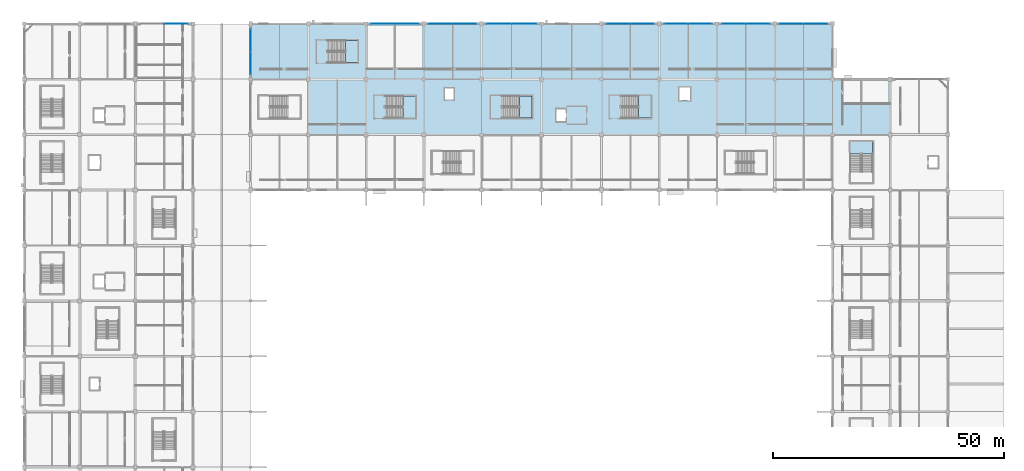
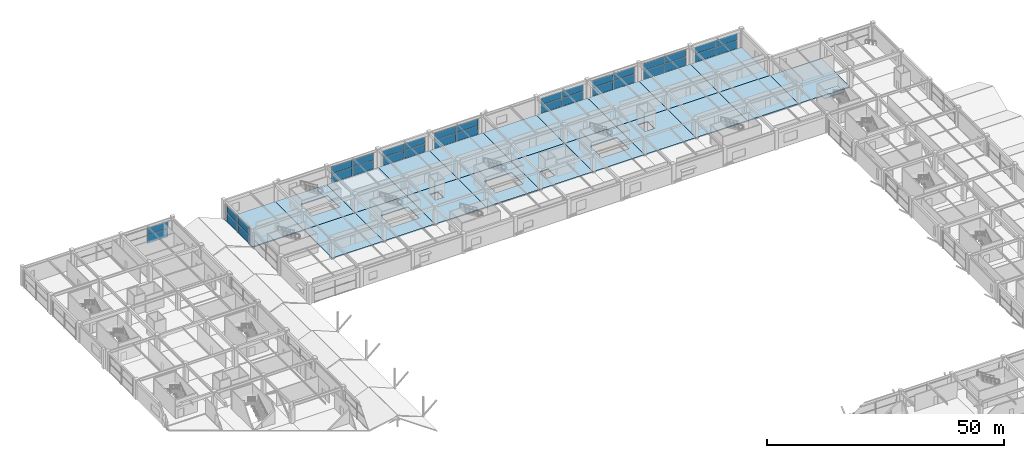
# One storey, part 60 of 116: 34 plates, 25 slabs, 14 elements without a shape of their own.
"""IFC4 building model written with IfcOpenShell, lengths in metres."""

from ifc_helpers import new_model, si_unit, direction, frame, origin, origin_2d, place, context, subcontext, project, spatial, polyline, rectangle, outline, extrude, material, layer, layer_set, type_object, element, aggregate, save


model = new_model("IFC4")

# Units and contexts
model_context = context("Model", 3, precision=1e-05, world=origin(), true_north=direction((0.0, 1.0)))
body_context = subcontext(model_context, "Body", "Model", "MODEL_VIEW")
ifc_project = project(units=[si_unit("LENGTHUNIT", "METRE"), si_unit("AREAUNIT", "SQUARE_METRE"), si_unit("VOLUMEUNIT", "CUBIC_METRE"), si_unit("PLANEANGLEUNIT", "RADIAN"), si_unit("MASSUNIT", "GRAM", prefix="KILO")], contexts=[model_context])

# Site, building, storey
site_placement = place(None, origin())
site = spatial("IfcSite", under=ifc_project, at=site_placement, CompositionType="ELEMENT")
building_placement = place(site_placement, origin())
building = spatial("IfcBuilding", under=site, at=building_placement, Name="Kazenohara Klinker Stadium", CompositionType="ELEMENT")
storey_placement = place(building_placement, frame((0.0, 0.0, 10.199951171875)))
storey = spatial("IfcBuildingStorey", under=building, at=storey_placement, Name="L02", CompositionType="ELEMENT", Elevation=10.199951171875)

# Curtain wall, plates
ifc_material_1 = material(Name="Anodised aluminium and triple glazing", Category="aluminium")
ifc_layer_1 = layer(ifc_material_1, 0.159912109375)
ifc_layer_set_1 = layer_set([ifc_layer_1], Name="Anodised aluminium and triple glazing")
curtain_wall_type_1 = type_object("IfcCurtainWallType", Name="CW-SYS-01", PredefinedType="USERDEFINED", material=ifc_layer_set_1)
curtain_wall_1_placement = place(storey_placement, origin())
curtain_wall_1 = element("IfcCurtainWall", 1, at=curtain_wall_1_placement, inside=storey, type_object=curtain_wall_type_1, Name="Unitised facade curtain wall CW01 L02 X2-14", ObjectType="UNITISED CURTAIN WALL", PredefinedType="USERDEFINED")
ifc_material_2 = material(Name="Low-e laminated triple glazing", Category="glass")
ifc_layer_2 = layer(ifc_material_2, 0.035888671875)
ifc_layer_set_2 = layer_set([ifc_layer_2], Name="Low-e laminated triple glazing")
plate_type_1 = type_object("IfcPlateType", Name="CW-PNL-36", PredefinedType="CURTAIN_PANEL", material=ifc_layer_set_2)
plate_1_placement = place(storey_placement, frame((32.84423828125, 168.0, 0.065185546875), z_axis=(0.0, 0.0, 1.0), x_axis=(1.0, 0.0, 0.0)))
plate_1 = element("IfcPlate", 2, at=plate_1_placement, type_object=plate_type_1, Name="CW01 panel 2.1", PredefinedType="CURTAIN_PANEL", context=body_context, shape_type="SweptSolid", body=[
    extrude(rectangle(XDim=5.073486328125, YDim=0.035888671875, at=origin_2d()), origin(), (0.0, 0.0, 1.0), 2.16845703125),
])
plate_2_placement = place(storey_placement, frame((32.84423828125, 168.0, 2.29833984375), z_axis=(0.0, 0.0, 1.0), x_axis=(1.0, 0.0, 0.0)))
plate_2 = element("IfcPlate", 3, at=plate_2_placement, type_object=plate_type_1, Name="CW01 panel 2.2", PredefinedType="CURTAIN_PANEL", context=body_context, shape_type="SweptSolid", body=[
    extrude(rectangle(XDim=5.073486328125, YDim=0.035888671875, at=origin_2d()), origin(), (0.0, 0.0, 1.0), 1.756591796875),
])
aggregate(curtain_wall_1, [plate_1, plate_2])

ifc_layer_3 = layer(ifc_material_1, 0.169921875)
ifc_layer_set_3 = layer_set([ifc_layer_3], Name="Anodised aluminium and triple glazing")
curtain_wall_type_2 = type_object("IfcCurtainWallType", Name="CW-SYS-04", PredefinedType="USERDEFINED", material=ifc_layer_set_3)
curtain_wall_2_placement = place(storey_placement, origin())
curtain_wall_2 = element("IfcCurtainWall", 4, at=curtain_wall_2_placement, inside=storey, type_object=curtain_wall_type_2, Name="Unitised facade curtain wall CW04 L02 X6-14", ObjectType="UNITISED CURTAIN WALL", PredefinedType="USERDEFINED")
plate_3_placement = place(storey_placement, frame((77.668212890625, 168.0, 0.06494140625), z_axis=(0.0, 0.0, 1.0), x_axis=(1.0, 0.0, 0.0)))
plate_3 = element("IfcPlate", 5, at=plate_3_placement, type_object=plate_type_1, Name="CW04 panel 1.1", PredefinedType="CURTAIN_PANEL", context=body_context, shape_type="SweptSolid", body=[
    extrude(rectangle(XDim=5.098388671875, YDim=0.035888671875, at=origin_2d()), origin(), (0.0, 0.0, 1.0), 2.223388671875),
])
plate_4_placement = place(storey_placement, frame((77.668212890625, 168.0, 2.353515625), z_axis=(0.0, 0.0, 1.0), x_axis=(1.0, 0.0, 0.0)))
plate_4 = element("IfcPlate", 6, at=plate_4_placement, type_object=plate_type_1, Name="CW04 panel 1.2", PredefinedType="CURTAIN_PANEL", context=body_context, shape_type="SweptSolid", body=[
    extrude(rectangle(XDim=5.098388671875, YDim=0.035888671875, at=origin_2d()), origin(), (0.0, 0.0, 1.0), 1.801513671875),
])
plate_5_placement = place(storey_placement, frame((82.831787109375, 168.0, 0.06494140625), z_axis=(0.0, 0.0, 1.0), x_axis=(1.0, 0.0, 0.0)))
plate_5 = element("IfcPlate", 7, at=plate_5_placement, type_object=plate_type_1, Name="CW04 panel 2.1", PredefinedType="CURTAIN_PANEL", context=body_context, shape_type="SweptSolid", body=[
    extrude(rectangle(XDim=5.098388671875, YDim=0.035888671875, at=origin_2d()), origin(), (0.0, 0.0, 1.0), 2.223388671875),
])
plate_6_placement = place(storey_placement, frame((82.831787109375, 168.0, 2.353515625), z_axis=(0.0, 0.0, 1.0), x_axis=(1.0, 0.0, 0.0)))
plate_6 = element("IfcPlate", 8, at=plate_6_placement, type_object=plate_type_1, Name="CW04 panel 2.2", PredefinedType="CURTAIN_PANEL", context=body_context, shape_type="SweptSolid", body=[
    extrude(rectangle(XDim=5.098388671875, YDim=0.035888671875, at=origin_2d()), origin(), (0.0, 0.0, 1.0), 1.801513671875),
])
aggregate(curtain_wall_2, [plate_3, plate_4, plate_5, plate_6])

curtain_wall_3_placement = place(storey_placement, origin())
curtain_wall_3 = element("IfcCurtainWall", 9, at=curtain_wall_3_placement, inside=storey, type_object=curtain_wall_type_1, Name="Unitised facade curtain wall CW01 L02 X7-14", ObjectType="UNITISED CURTAIN WALL", PredefinedType="USERDEFINED")
plate_7_placement = place(storey_placement, frame((90.15576171875, 168.0, 0.06494140625), z_axis=(0.0, 0.0, 1.0), x_axis=(1.0, 0.0, 0.0)))
plate_7 = element("IfcPlate", 10, at=plate_7_placement, type_object=plate_type_1, Name="CW01 panel 1.1", PredefinedType="CURTAIN_PANEL", context=body_context, shape_type="SweptSolid", body=[
    extrude(rectangle(XDim=5.073486328125, YDim=0.035888671875, at=origin_2d()), origin(), (0.0, 0.0, 1.0), 2.113525390625),
])
plate_8_placement = place(storey_placement, frame((90.15576171875, 168.0, 2.24365234375), z_axis=(0.0, 0.0, 1.0), x_axis=(1.0, 0.0, 0.0)))
plate_8 = element("IfcPlate", 11, at=plate_8_placement, type_object=plate_type_1, Name="CW01 panel 1.2", PredefinedType="CURTAIN_PANEL", context=body_context, shape_type="SweptSolid", body=[
    extrude(rectangle(XDim=5.073486328125, YDim=0.035888671875, at=origin_2d()), origin(), (0.0, 0.0, 1.0), 1.71142578125),
])
plate_9_placement = place(storey_placement, frame((95.294189453125, 168.0, 0.06494140625), z_axis=(0.0, 0.0, 1.0), x_axis=(1.0, 0.0, 0.0)))
plate_9 = element("IfcPlate", 12, at=plate_9_placement, type_object=plate_type_1, Name="CW01 panel 2.1", PredefinedType="CURTAIN_PANEL", context=body_context, shape_type="SweptSolid", body=[
    extrude(rectangle(XDim=5.073486328125, YDim=0.035888671875, at=origin_2d()), origin(), (0.0, 0.0, 1.0), 2.113525390625),
])
plate_10_placement = place(storey_placement, frame((95.294189453125, 168.0, 2.24365234375), z_axis=(0.0, 0.0, 1.0), x_axis=(1.0, 0.0, 0.0)))
plate_10 = element("IfcPlate", 13, at=plate_10_placement, type_object=plate_type_1, Name="CW01 panel 2.2", PredefinedType="CURTAIN_PANEL", context=body_context, shape_type="SweptSolid", body=[
    extrude(rectangle(XDim=5.073486328125, YDim=0.035888671875, at=origin_2d()), origin(), (0.0, 0.0, 1.0), 1.71142578125),
])
aggregate(curtain_wall_3, [plate_7, plate_8, plate_9, plate_10])

ifc_layer_4 = layer(ifc_material_1, 0.199951171875)
ifc_layer_set_4 = layer_set([ifc_layer_4], Name="Anodised aluminium and triple glazing")
curtain_wall_type_3 = type_object("IfcCurtainWallType", Name="CW-SYS-03", PredefinedType="USERDEFINED", material=ifc_layer_set_4)
curtain_wall_4_placement = place(storey_placement, origin())
curtain_wall_4 = element("IfcCurtainWall", 14, at=curtain_wall_4_placement, inside=storey, type_object=curtain_wall_type_3, Name="Unitised facade curtain wall CW03 L02 X8-14", ObjectType="UNITISED CURTAIN WALL", PredefinedType="USERDEFINED")
plate_11_placement = place(storey_placement, frame((102.830810546875, 168.0, 0.065185546875), z_axis=(0.0, 0.0, 1.0), x_axis=(1.0, 0.0, 0.0)))
plate_11 = element("IfcPlate", 15, at=plate_11_placement, type_object=plate_type_1, Name="CW03 panel 1.1", PredefinedType="CURTAIN_PANEL", context=body_context, shape_type="SweptSolid", body=[
    extrude(rectangle(XDim=5.323486328125, YDim=0.035888671875, at=origin_2d()), origin(), (0.0, 0.0, 1.0), 2.16845703125),
])
plate_12_placement = place(storey_placement, frame((102.830810546875, 168.0, 2.29833984375), z_axis=(0.0, 0.0, 1.0), x_axis=(1.0, 0.0, 0.0)))
plate_12 = element("IfcPlate", 16, at=plate_12_placement, type_object=plate_type_1, Name="CW03 panel 1.2", PredefinedType="CURTAIN_PANEL", context=body_context, shape_type="SweptSolid", body=[
    extrude(rectangle(XDim=5.323486328125, YDim=0.035888671875, at=origin_2d()), origin(), (0.0, 0.0, 1.0), 1.756591796875),
])
plate_13_placement = place(storey_placement, frame((108.21923828125, 168.0, 0.065185546875), z_axis=(0.0, 0.0, 1.0), x_axis=(1.0, 0.0, 0.0)))
plate_13 = element("IfcPlate", 17, at=plate_13_placement, type_object=plate_type_1, Name="CW03 panel 2.1", PredefinedType="CURTAIN_PANEL", context=body_context, shape_type="SweptSolid", body=[
    extrude(rectangle(XDim=5.323486328125, YDim=0.035888671875, at=origin_2d()), origin(), (0.0, 0.0, 1.0), 2.16845703125),
])
plate_14_placement = place(storey_placement, frame((108.21923828125, 168.0, 2.29833984375), z_axis=(0.0, 0.0, 1.0), x_axis=(1.0, 0.0, 0.0)))
plate_14 = element("IfcPlate", 18, at=plate_14_placement, type_object=plate_type_1, Name="CW03 panel 2.2", PredefinedType="CURTAIN_PANEL", context=body_context, shape_type="SweptSolid", body=[
    extrude(rectangle(XDim=5.323486328125, YDim=0.035888671875, at=origin_2d()), origin(), (0.0, 0.0, 1.0), 1.756591796875),
])
aggregate(curtain_wall_4, [plate_11, plate_12, plate_13, plate_14])

curtain_wall_5_placement = place(storey_placement, origin())
curtain_wall_5 = element("IfcCurtainWall", 19, at=curtain_wall_5_placement, inside=storey, type_object=curtain_wall_type_1, Name="Unitised facade curtain wall CW01 L02 Y4-13", ObjectType="UNITISED CURTAIN WALL", PredefinedType="USERDEFINED")
ifc_layer_5 = layer(ifc_material_2, 0.0439453125)
ifc_layer_set_5 = layer_set([ifc_layer_5], Name="Low-e laminated triple glazing")
plate_type_2 = type_object("IfcPlateType", Name="CW-PNL-44", PredefinedType="CURTAIN_PANEL", material=ifc_layer_set_5)
plate_15_placement = place(storey_placement, frame((49.0, 159.520751953125, 0.0751953125), z_axis=(0.0, 0.0, 1.0), x_axis=(0.0, 1.0, 0.0)))
plate_15 = element("IfcPlate", 20, at=plate_15_placement, type_object=plate_type_2, Name="CW01 panel 1.1", PredefinedType="CURTAIN_PANEL", context=body_context, shape_type="SweptSolid", body=[
    extrude(rectangle(XDim=4.783447265625, YDim=0.0439453125, at=origin_2d()), origin(), (0.0, 0.0, 1.0), 2.215087890625),
])
plate_16_placement = place(storey_placement, frame((49.0, 159.520751953125, 2.364990234375), z_axis=(0.0, 0.0, 1.0), x_axis=(0.0, 1.0, 0.0)))
plate_16 = element("IfcPlate", 21, at=plate_16_placement, type_object=plate_type_2, Name="CW01 panel 1.2", PredefinedType="CURTAIN_PANEL", context=body_context, shape_type="SweptSolid", body=[
    extrude(rectangle(XDim=4.783447265625, YDim=0.0439453125, at=origin_2d()), origin(), (0.0, 0.0, 1.0), 1.7919921875),
])
plate_17_placement = place(storey_placement, frame((49.0, 164.379150390625, 0.0751953125), z_axis=(0.0, 0.0, 1.0), x_axis=(0.0, 1.0, 0.0)))
plate_17 = element("IfcPlate", 22, at=plate_17_placement, type_object=plate_type_2, Name="CW01 panel 2.1", PredefinedType="CURTAIN_PANEL", context=body_context, shape_type="SweptSolid", body=[
    extrude(rectangle(XDim=4.783447265625, YDim=0.0439453125, at=origin_2d()), origin(), (0.0, 0.0, 1.0), 2.215087890625),
])
plate_18_placement = place(storey_placement, frame((49.0, 164.379150390625, 2.364990234375), z_axis=(0.0, 0.0, 1.0), x_axis=(0.0, 1.0, 0.0)))
plate_18 = element("IfcPlate", 23, at=plate_18_placement, type_object=plate_type_2, Name="CW01 panel 2.2", PredefinedType="CURTAIN_PANEL", context=body_context, shape_type="SweptSolid", body=[
    extrude(rectangle(XDim=4.783447265625, YDim=0.0439453125, at=origin_2d()), origin(), (0.0, 0.0, 1.0), 1.7919921875),
])
aggregate(curtain_wall_5, [plate_15, plate_16, plate_17, plate_18])

curtain_wall_6_placement = place(storey_placement, origin())
curtain_wall_6 = element("IfcCurtainWall", 24, at=curtain_wall_6_placement, inside=storey, type_object=curtain_wall_type_1, Name="Unitised facade curtain wall CW01 L02 X10-14", ObjectType="UNITISED CURTAIN WALL", PredefinedType="USERDEFINED")
plate_19_placement = place(storey_placement, frame((128.658203125, 168.0, 0.0751953125), z_axis=(0.0, 0.0, 1.0), x_axis=(1.0, 0.0, 0.0)))
plate_19 = element("IfcPlate", 25, at=plate_19_placement, type_object=plate_type_2, Name="CW01 panel 1.1", PredefinedType="CURTAIN_PANEL", context=body_context, shape_type="SweptSolid", body=[
    extrude(rectangle(XDim=5.05859375, YDim=0.0439453125, at=origin_2d()), origin(), (0.0, 0.0, 1.0), 2.098388671875),
])
plate_20_placement = place(storey_placement, frame((128.658203125, 168.0, 2.24853515625), z_axis=(0.0, 0.0, 1.0), x_axis=(1.0, 0.0, 0.0)))
plate_20 = element("IfcPlate", 26, at=plate_20_placement, type_object=plate_type_2, Name="CW01 panel 1.2", PredefinedType="CURTAIN_PANEL", context=body_context, shape_type="SweptSolid", body=[
    extrude(rectangle(XDim=5.05859375, YDim=0.0439453125, at=origin_2d()), origin(), (0.0, 0.0, 1.0), 1.696533203125),
])
plate_21_placement = place(storey_placement, frame((133.791748046875, 168.0, 0.0751953125), z_axis=(0.0, 0.0, 1.0), x_axis=(1.0, 0.0, 0.0)))
plate_21 = element("IfcPlate", 27, at=plate_21_placement, type_object=plate_type_2, Name="CW01 panel 2.1", PredefinedType="CURTAIN_PANEL", context=body_context, shape_type="SweptSolid", body=[
    extrude(rectangle(XDim=5.05859375, YDim=0.0439453125, at=origin_2d()), origin(), (0.0, 0.0, 1.0), 2.098388671875),
])
plate_22_placement = place(storey_placement, frame((133.791748046875, 168.0, 2.24853515625), z_axis=(0.0, 0.0, 1.0), x_axis=(1.0, 0.0, 0.0)))
plate_22 = element("IfcPlate", 28, at=plate_22_placement, type_object=plate_type_2, Name="CW01 panel 2.2", PredefinedType="CURTAIN_PANEL", context=body_context, shape_type="SweptSolid", body=[
    extrude(rectangle(XDim=5.05859375, YDim=0.0439453125, at=origin_2d()), origin(), (0.0, 0.0, 1.0), 1.696533203125),
])
aggregate(curtain_wall_6, [plate_19, plate_20, plate_21, plate_22])

curtain_wall_7_placement = place(storey_placement, origin())
curtain_wall_7 = element("IfcCurtainWall", 29, at=curtain_wall_7_placement, inside=storey, type_object=curtain_wall_type_3, Name="Unitised facade curtain wall CW03 L02 X11-14", ObjectType="UNITISED CURTAIN WALL", PredefinedType="USERDEFINED")
plate_23_placement = place(storey_placement, frame((141.208251953125, 168.0, 0.0751953125), z_axis=(0.0, 0.0, 1.0), x_axis=(1.0, 0.0, 0.0)))
plate_23 = element("IfcPlate", 30, at=plate_23_placement, type_object=plate_type_2, Name="CW03 panel 1.1", PredefinedType="CURTAIN_PANEL", context=body_context, shape_type="SweptSolid", body=[
    extrude(rectangle(XDim=5.05859375, YDim=0.0439453125, at=origin_2d()), origin(), (0.0, 0.0, 1.0), 2.153564453125),
])
plate_24_placement = place(storey_placement, frame((141.208251953125, 168.0, 2.3037109375), z_axis=(0.0, 0.0, 1.0), x_axis=(1.0, 0.0, 0.0)))
plate_24 = element("IfcPlate", 31, at=plate_24_placement, type_object=plate_type_2, Name="CW03 panel 1.2", PredefinedType="CURTAIN_PANEL", context=body_context, shape_type="SweptSolid", body=[
    extrude(rectangle(XDim=5.05859375, YDim=0.0439453125, at=origin_2d()), origin(), (0.0, 0.0, 1.0), 1.741455078125),
])
plate_25_placement = place(storey_placement, frame((146.341796875, 168.0, 0.0751953125), z_axis=(0.0, 0.0, 1.0), x_axis=(1.0, 0.0, 0.0)))
plate_25 = element("IfcPlate", 32, at=plate_25_placement, type_object=plate_type_2, Name="CW03 panel 2.1", PredefinedType="CURTAIN_PANEL", context=body_context, shape_type="SweptSolid", body=[
    extrude(rectangle(XDim=5.05859375, YDim=0.0439453125, at=origin_2d()), origin(), (0.0, 0.0, 1.0), 2.153564453125),
])
plate_26_placement = place(storey_placement, frame((146.341796875, 168.0, 2.3037109375), z_axis=(0.0, 0.0, 1.0), x_axis=(1.0, 0.0, 0.0)))
plate_26 = element("IfcPlate", 33, at=plate_26_placement, type_object=plate_type_2, Name="CW03 panel 2.2", PredefinedType="CURTAIN_PANEL", context=body_context, shape_type="SweptSolid", body=[
    extrude(rectangle(XDim=5.05859375, YDim=0.0439453125, at=origin_2d()), origin(), (0.0, 0.0, 1.0), 1.741455078125),
])
aggregate(curtain_wall_7, [plate_23, plate_24, plate_25, plate_26])

ifc_layer_6 = layer(ifc_material_1, 0.18994140625)
ifc_layer_set_6 = layer_set([ifc_layer_6], Name="Anodised aluminium and triple glazing")
curtain_wall_type_4 = type_object("IfcCurtainWallType", Name="CW-SYS-05", PredefinedType="USERDEFINED", material=ifc_layer_set_6)
curtain_wall_8_placement = place(storey_placement, origin())
curtain_wall_8 = element("IfcCurtainWall", 34, at=curtain_wall_8_placement, inside=storey, type_object=curtain_wall_type_4, Name="Unitised facade curtain wall CW05 L02 X12-14", ObjectType="UNITISED CURTAIN WALL", PredefinedType="USERDEFINED")
plate_27_placement = place(storey_placement, frame((153.670654296875, 168.0, 0.074951171875), z_axis=(0.0, 0.0, 1.0), x_axis=(1.0, 0.0, 0.0)))
plate_27 = element("IfcPlate", 35, at=plate_27_placement, type_object=plate_type_2, Name="CW05 panel 1.1", PredefinedType="CURTAIN_PANEL", context=body_context, shape_type="SweptSolid", body=[
    extrude(rectangle(XDim=5.08349609375, YDim=0.0439453125, at=origin_2d()), origin(), (0.0, 0.0, 1.0), 2.20849609375),
])
plate_28_placement = place(storey_placement, frame((153.670654296875, 168.0, 2.3583984375), z_axis=(0.0, 0.0, 1.0), x_axis=(1.0, 0.0, 0.0)))
plate_28 = element("IfcPlate", 36, at=plate_28_placement, type_object=plate_type_2, Name="CW05 panel 1.2", PredefinedType="CURTAIN_PANEL", context=body_context, shape_type="SweptSolid", body=[
    extrude(rectangle(XDim=5.08349609375, YDim=0.0439453125, at=origin_2d()), origin(), (0.0, 0.0, 1.0), 1.78662109375),
])
plate_29_placement = place(storey_placement, frame((158.829345703125, 168.0, 0.074951171875), z_axis=(0.0, 0.0, 1.0), x_axis=(1.0, 0.0, 0.0)))
plate_29 = element("IfcPlate", 37, at=plate_29_placement, type_object=plate_type_2, Name="CW05 panel 2.1", PredefinedType="CURTAIN_PANEL", context=body_context, shape_type="SweptSolid", body=[
    extrude(rectangle(XDim=5.08349609375, YDim=0.0439453125, at=origin_2d()), origin(), (0.0, 0.0, 1.0), 2.20849609375),
])
plate_30_placement = place(storey_placement, frame((158.829345703125, 168.0, 2.3583984375), z_axis=(0.0, 0.0, 1.0), x_axis=(1.0, 0.0, 0.0)))
plate_30 = element("IfcPlate", 38, at=plate_30_placement, type_object=plate_type_2, Name="CW05 panel 2.2", PredefinedType="CURTAIN_PANEL", context=body_context, shape_type="SweptSolid", body=[
    extrude(rectangle(XDim=5.08349609375, YDim=0.0439453125, at=origin_2d()), origin(), (0.0, 0.0, 1.0), 1.78662109375),
])
aggregate(curtain_wall_8, [plate_27, plate_28, plate_29, plate_30])

ifc_layer_7 = layer(ifc_material_1, 0.179931640625)
ifc_layer_set_7 = layer_set([ifc_layer_7], Name="Anodised aluminium and triple glazing")
curtain_wall_type_5 = type_object("IfcCurtainWallType", Name="CW-SYS-02", PredefinedType="USERDEFINED", material=ifc_layer_set_7)
curtain_wall_9_placement = place(storey_placement, origin())
curtain_wall_9 = element("IfcCurtainWall", 39, at=curtain_wall_9_placement, inside=storey, type_object=curtain_wall_type_5, Name="Unitised facade curtain wall CW02 L02 X13-14", ObjectType="UNITISED CURTAIN WALL", PredefinedType="USERDEFINED")
plate_31_placement = place(storey_placement, frame((166.158203125, 168.0, 0.0751953125), z_axis=(0.0, 0.0, 1.0), x_axis=(1.0, 0.0, 0.0)))
plate_31 = element("IfcPlate", 40, at=plate_31_placement, type_object=plate_type_2, Name="CW02 panel 1.1", PredefinedType="CURTAIN_PANEL", context=body_context, shape_type="SweptSolid", body=[
    extrude(rectangle(XDim=5.05859375, YDim=0.0439453125, at=origin_2d()), origin(), (0.0, 0.0, 1.0), 2.098388671875),
])
plate_32_placement = place(storey_placement, frame((166.158203125, 168.0, 2.24853515625), z_axis=(0.0, 0.0, 1.0), x_axis=(1.0, 0.0, 0.0)))
plate_32 = element("IfcPlate", 41, at=plate_32_placement, type_object=plate_type_2, Name="CW02 panel 1.2", PredefinedType="CURTAIN_PANEL", context=body_context, shape_type="SweptSolid", body=[
    extrude(rectangle(XDim=5.05859375, YDim=0.0439453125, at=origin_2d()), origin(), (0.0, 0.0, 1.0), 1.696533203125),
])
plate_33_placement = place(storey_placement, frame((171.291748046875, 168.0, 0.0751953125), z_axis=(0.0, 0.0, 1.0), x_axis=(1.0, 0.0, 0.0)))
plate_33 = element("IfcPlate", 42, at=plate_33_placement, type_object=plate_type_2, Name="CW02 panel 2.1", PredefinedType="CURTAIN_PANEL", context=body_context, shape_type="SweptSolid", body=[
    extrude(rectangle(XDim=5.05859375, YDim=0.0439453125, at=origin_2d()), origin(), (0.0, 0.0, 1.0), 2.098388671875),
])
plate_34_placement = place(storey_placement, frame((171.291748046875, 168.0, 2.24853515625), z_axis=(0.0, 0.0, 1.0), x_axis=(1.0, 0.0, 0.0)))
plate_34 = element("IfcPlate", 43, at=plate_34_placement, type_object=plate_type_2, Name="CW02 panel 2.2", PredefinedType="CURTAIN_PANEL", context=body_context, shape_type="SweptSolid", body=[
    extrude(rectangle(XDim=5.05859375, YDim=0.0439453125, at=origin_2d()), origin(), (0.0, 0.0, 1.0), 1.696533203125),
])
aggregate(curtain_wall_9, [plate_31, plate_32, plate_33, plate_34])

# Slabs
ifc_material_3 = material(Name="Concrete C40/50", Category="concrete")
ifc_layer_8 = layer(ifc_material_3, 0.25)
ifc_layer_set_8 = layer_set([ifc_layer_8], Name="Concrete C40/50")
slab_type_1 = type_object("IfcSlabType", Name="SLB-FLR-250", PredefinedType="FLOOR", material=ifc_layer_set_8)
slab_1_placement = place(storey_placement, frame((0.0, 0.0, -0.25)))
element("IfcSlab", 44, at=slab_1_placement, inside=storey, type_object=slab_type_1, Name="Floor slab FS03 L02 5/P", PredefinedType="FLOOR", context=body_context, shape_type="SweptSolid", body=[
    extrude(outline(polyline([(49.0, 156.0), (61.5, 156.0), (61.5, 168.0), (49.0, 168.0), (49.0, 156.0)])), origin(), (0.0, 0.0, 1.0), 0.25),
])
slab_2_placement = place(storey_placement, frame((0.0, 0.0, -0.25)))
element("IfcSlab", 45, at=slab_2_placement, inside=storey, type_object=slab_type_1, Name="Floor slab FS03 L02 6/N", PredefinedType="FLOOR", context=body_context, shape_type="SweptSolid", body=[
    extrude(outline(polyline([(61.5, 144.0), (74.0, 144.0), (74.0, 156.0), (61.5, 156.0), (61.5, 144.0)])), origin(), (0.0, 0.0, 1.0), 0.25),
])
slab_3_placement = place(storey_placement, frame((0.0, 0.0, -0.25)))
element("IfcSlab", 46, at=slab_3_placement, inside=storey, type_object=slab_type_1, Name="Floor slab FS03 L02 6/P", PredefinedType="FLOOR", context=body_context, shape_type="SweptSolid", body=[
    extrude(outline(polyline([(61.5, 156.0), (74.0, 156.0), (74.0, 168.0), (61.5, 168.0), (61.5, 156.0)]), holes=[polyline([(65.699951171875, 159.570068359375), (72.2099609375, 159.570068359375), (72.2099609375, 164.429931640625), (65.699951171875, 164.429931640625), (65.699951171875, 159.570068359375)])]), origin(), (0.0, 0.0, 1.0), 0.25),
])
slab_4_placement = place(storey_placement, frame((0.0, 0.0, -0.25)))
element("IfcSlab", 47, at=slab_4_placement, inside=storey, type_object=slab_type_1, Name="Floor slab FS03 L02 7/N", PredefinedType="FLOOR", context=body_context, shape_type="SweptSolid", body=[
    extrude(outline(polyline([(74.0, 144.0), (86.5, 144.0), (86.5, 156.0), (74.0, 156.0), (74.0, 144.0)]), holes=[polyline([(78.169921875, 147.60009765625), (84.7099609375, 147.60009765625), (84.7099609375, 152.39990234375), (78.169921875, 152.39990234375), (78.169921875, 147.60009765625)])]), origin(), (0.0, 0.0, 1.0), 0.25),
])
slab_5_placement = place(storey_placement, frame((0.0, 0.0, -0.25)))
element("IfcSlab", 48, at=slab_5_placement, inside=storey, type_object=slab_type_1, Name="Floor slab FS03 L02 7/P", PredefinedType="FLOOR", context=body_context, shape_type="SweptSolid", body=[
    extrude(outline(polyline([(74.0, 156.0), (86.5, 156.0), (86.5, 168.0), (74.0, 168.0), (74.0, 156.0)])), origin(), (0.0, 0.0, 1.0), 0.25),
])
slab_6_placement = place(storey_placement, frame((0.0, 0.0, -0.25)))
element("IfcSlab", 49, at=slab_6_placement, inside=storey, type_object=slab_type_1, Name="Floor slab FS03 L02 8/N", PredefinedType="FLOOR", context=body_context, shape_type="SweptSolid", body=[
    extrude(outline(polyline([(86.5, 144.0), (99.0, 144.0), (99.0, 156.0), (86.5, 156.0), (86.5, 144.0)]), holes=[polyline([(91.050048828125, 151.60009765625), (92.949951171875, 151.60009765625), (92.949951171875, 154.0), (91.050048828125, 154.0), (91.050048828125, 151.60009765625)])]), origin(), (0.0, 0.0, 1.0), 0.25),
])
slab_7_placement = place(storey_placement, frame((0.0, 0.0, -0.25)))
element("IfcSlab", 50, at=slab_7_placement, inside=storey, type_object=slab_type_1, Name="Floor slab FS03 L02 8/P", PredefinedType="FLOOR", context=body_context, shape_type="SweptSolid", body=[
    extrude(outline(polyline([(86.5, 156.0), (99.0, 156.0), (99.0, 168.0), (86.5, 168.0), (86.5, 156.0)])), origin(), (0.0, 0.0, 1.0), 0.25),
])
slab_8_placement = place(storey_placement, frame((0.0, 0.0, -0.25)))
element("IfcSlab", 51, at=slab_8_placement, inside=storey, type_object=slab_type_1, Name="Floor slab FS03 L02 9/N", PredefinedType="FLOOR", context=body_context, shape_type="SweptSolid", body=[
    extrude(outline(polyline([(99.0, 144.0), (112.0, 144.0), (112.0, 156.0), (99.0, 156.0), (99.0, 144.0)]), holes=[polyline([(103.429931640625, 147.590087890625), (109.9599609375, 147.590087890625), (109.9599609375, 152.409912109375), (103.429931640625, 152.409912109375), (103.429931640625, 147.590087890625)])]), origin(), (0.0, 0.0, 1.0), 0.25),
])
slab_9_placement = place(storey_placement, frame((0.0, 0.0, -0.25)))
element("IfcSlab", 52, at=slab_9_placement, inside=storey, type_object=slab_type_1, Name="Floor slab FS03 L02 9/P", PredefinedType="FLOOR", context=body_context, shape_type="SweptSolid", body=[
    extrude(outline(polyline([(99.0, 156.0), (112.0, 156.0), (112.0, 168.0), (99.0, 168.0), (99.0, 156.0)])), origin(), (0.0, 0.0, 1.0), 0.25),
])
slab_10_placement = place(storey_placement, frame((0.0, 0.0, -0.25)))
element("IfcSlab", 53, at=slab_10_placement, inside=storey, type_object=slab_type_1, Name="Floor slab FS03 L02 10/N", PredefinedType="FLOOR", context=body_context, shape_type="SweptSolid", body=[
    extrude(outline(polyline([(112.0, 144.0), (125.0, 144.0), (125.0, 156.0), (112.0, 156.0), (112.0, 144.0)]), holes=[polyline([(115.14990234375, 146.85009765625), (117.25, 146.85009765625), (117.25, 149.550048828125), (115.14990234375, 149.550048828125), (115.14990234375, 146.85009765625)])]), origin(), (0.0, 0.0, 1.0), 0.25),
])
slab_11_placement = place(storey_placement, frame((0.0, 0.0, -0.25)))
element("IfcSlab", 54, at=slab_11_placement, inside=storey, type_object=slab_type_1, Name="Floor slab FS03 L02 10/P", PredefinedType="FLOOR", context=body_context, shape_type="SweptSolid", body=[
    extrude(outline(polyline([(112.0, 156.0), (125.0, 156.0), (125.0, 168.0), (112.0, 168.0), (112.0, 156.0)])), origin(), (0.0, 0.0, 1.0), 0.25),
])
slab_12_placement = place(storey_placement, frame((0.0, 0.0, -0.25)))
element("IfcSlab", 55, at=slab_12_placement, inside=storey, type_object=slab_type_1, Name="Floor slab FS03 L02 11/N", PredefinedType="FLOOR", context=body_context, shape_type="SweptSolid", body=[
    extrude(outline(polyline([(125.0, 144.0), (137.5, 144.0), (137.5, 156.0), (125.0, 156.0), (125.0, 144.0)]), holes=[polyline([(129.199951171875, 147.570068359375), (135.7099609375, 147.570068359375), (135.7099609375, 152.429931640625), (129.199951171875, 152.429931640625), (129.199951171875, 147.570068359375)])]), origin(), (0.0, 0.0, 1.0), 0.25),
])
slab_13_placement = place(storey_placement, frame((0.0, 0.0, -0.25)))
element("IfcSlab", 56, at=slab_13_placement, inside=storey, type_object=slab_type_1, Name="Floor slab FS03 L02 11/P", PredefinedType="FLOOR", context=body_context, shape_type="SweptSolid", body=[
    extrude(outline(polyline([(125.0, 156.0), (137.5, 156.0), (137.5, 168.0), (125.0, 168.0), (125.0, 156.0)])), origin(), (0.0, 0.0, 1.0), 0.25),
])
slab_14_placement = place(storey_placement, frame((0.0, 0.0, -0.25)))
element("IfcSlab", 57, at=slab_14_placement, inside=storey, type_object=slab_type_1, Name="Floor slab FS03 L02 12/N", PredefinedType="FLOOR", context=body_context, shape_type="SweptSolid", body=[
    extrude(outline(polyline([(137.5, 144.0), (150.0, 144.0), (150.0, 156.0), (137.5, 156.0), (137.5, 144.0)]), holes=[polyline([(141.85009765625, 151.35009765625), (144.14990234375, 151.35009765625), (144.14990234375, 154.25), (141.85009765625, 154.25), (141.85009765625, 151.35009765625)])]), origin(), (0.0, 0.0, 1.0), 0.25),
])
slab_15_placement = place(storey_placement, frame((0.0, 0.0, -0.25)))
element("IfcSlab", 58, at=slab_15_placement, inside=storey, type_object=slab_type_1, Name="Floor slab FS03 L02 12/P", PredefinedType="FLOOR", context=body_context, shape_type="SweptSolid", body=[
    extrude(outline(polyline([(137.5, 156.0), (150.0, 156.0), (150.0, 168.0), (137.5, 168.0), (137.5, 156.0)])), origin(), (0.0, 0.0, 1.0), 0.25),
])
slab_16_placement = place(storey_placement, frame((0.0, 0.0, -0.25)))
element("IfcSlab", 59, at=slab_16_placement, inside=storey, type_object=slab_type_1, Name="Floor slab FS03 L02 13/N", PredefinedType="FLOOR", context=body_context, shape_type="SweptSolid", body=[
    extrude(outline(polyline([(150.0, 144.0), (162.5, 144.0), (162.5, 156.0), (150.0, 156.0), (150.0, 144.0)])), origin(), (0.0, 0.0, 1.0), 0.25),
])
slab_17_placement = place(storey_placement, frame((0.0, 0.0, -0.25)))
element("IfcSlab", 60, at=slab_17_placement, inside=storey, type_object=slab_type_1, Name="Floor slab FS03 L02 13/P", PredefinedType="FLOOR", context=body_context, shape_type="SweptSolid", body=[
    extrude(outline(polyline([(150.0, 156.0), (162.5, 156.0), (162.5, 168.0), (150.0, 168.0), (150.0, 156.0)])), origin(), (0.0, 0.0, 1.0), 0.25),
])
slab_18_placement = place(storey_placement, frame((0.0, 0.0, -0.25)))
element("IfcSlab", 61, at=slab_18_placement, inside=storey, type_object=slab_type_1, Name="Floor slab FS03 L02 14/N", PredefinedType="FLOOR", context=body_context, shape_type="SweptSolid", body=[
    extrude(outline(polyline([(162.5, 144.0), (175.0, 144.0), (175.0, 156.0), (162.5, 156.0), (162.5, 144.0)])), origin(), (0.0, 0.0, 1.0), 0.25),
])
slab_19_placement = place(storey_placement, frame((0.0, 0.0, -0.25)))
element("IfcSlab", 62, at=slab_19_placement, inside=storey, type_object=slab_type_1, Name="Floor slab FS03 L02 14/P", PredefinedType="FLOOR", context=body_context, shape_type="SweptSolid", body=[
    extrude(outline(polyline([(162.5, 156.0), (175.0, 156.0), (175.0, 168.0), (162.5, 168.0), (162.5, 156.0)])), origin(), (0.0, 0.0, 1.0), 0.25),
])
slab_20_placement = place(storey_placement, frame((0.0, 0.0, -0.25)))
element("IfcSlab", 63, at=slab_20_placement, inside=storey, type_object=slab_type_1, Name="Floor slab FS03 L02 15/N", PredefinedType="FLOOR", context=body_context, shape_type="SweptSolid", body=[
    extrude(outline(polyline([(175.0, 144.0), (187.5, 144.0), (187.5, 156.0), (175.0, 156.0), (175.0, 144.0)])), origin(), (0.0, 0.0, 1.0), 0.25),
])

# Stair, slab
stair_type_1 = type_object("IfcStairType", Name="STR-DL-2300", PredefinedType="HALF_TURN_STAIR", material=ifc_material_3)
stair_1_placement = place(storey_placement, origin())
stair_1 = element("IfcStair", 64, at=stair_1_placement, inside=storey, type_object=stair_type_1, Name="L02 Enclosed escape stair ST09", PredefinedType="HALF_TURN_STAIR")
ifc_layer_9 = layer(ifc_material_3, 0.199951171875)
ifc_layer_set_9 = layer_set([ifc_layer_9], Name="Concrete C40/50")
slab_type_2 = type_object("IfcSlabType", Name="SLB-LND-200", PredefinedType="LANDING", material=ifc_layer_set_9)
slab_21_placement = place(storey_placement, frame((0.0, 0.0, 2.35009765625)))
slab_21 = element("IfcSlab", 65, at=slab_21_placement, type_object=slab_type_2, Name="ST09 landing 1", PredefinedType="LANDING", context=body_context, shape_type="SweptSolid", body=[
    extrude(outline(polyline([(82.010009765625, 147.60009765625), (84.7099609375, 147.60009765625), (84.7099609375, 152.39990234375), (82.010009765625, 152.39990234375), (82.010009765625, 147.60009765625)])), origin(), (0.0, 0.0, 1.0), 0.199951171875),
])
aggregate(stair_1, [slab_21])

stair_type_2 = type_object("IfcStairType", Name="STR-DL-2310", PredefinedType="HALF_TURN_STAIR", material=ifc_material_3)
stair_2_placement = place(storey_placement, origin())
stair_2 = element("IfcStair", 66, at=stair_2_placement, inside=storey, type_object=stair_type_2, Name="L02 Enclosed escape stair ST10", PredefinedType="HALF_TURN_STAIR")
slab_22_placement = place(storey_placement, frame((0.0, 0.0, 2.35009765625)))
slab_22 = element("IfcSlab", 67, at=slab_22_placement, type_object=slab_type_2, Name="ST10 landing 1", PredefinedType="LANDING", context=body_context, shape_type="SweptSolid", body=[
    extrude(outline(polyline([(107.27001953125, 147.590087890625), (109.9599609375, 147.590087890625), (109.9599609375, 152.409912109375), (107.27001953125, 152.409912109375), (107.27001953125, 147.590087890625)])), origin(), (0.0, 0.0, 1.0), 0.199951171875),
])
aggregate(stair_2, [slab_22])

stair_type_3 = type_object("IfcStairType", Name="STR-DL-2330", PredefinedType="HALF_TURN_STAIR", material=ifc_material_3)
stair_3_placement = place(storey_placement, origin())
stair_3 = element("IfcStair", 68, at=stair_3_placement, inside=storey, type_object=stair_type_3, Name="L02 Enclosed escape stair ST11", PredefinedType="HALF_TURN_STAIR")
slab_23_placement = place(storey_placement, frame((0.0, 0.0, 2.35009765625)))
slab_23 = element("IfcSlab", 69, at=slab_23_placement, type_object=slab_type_2, Name="ST11 landing 1", PredefinedType="LANDING", context=body_context, shape_type="SweptSolid", body=[
    extrude(outline(polyline([(133.0400390625, 147.570068359375), (135.7099609375, 147.570068359375), (135.7099609375, 152.429931640625), (133.0400390625, 152.429931640625), (133.0400390625, 147.570068359375)])), origin(), (0.0, 0.0, 1.0), 0.199951171875),
])
aggregate(stair_3, [slab_23])

stair_type_4 = type_object("IfcStairType", Name="STR-DL-2340", PredefinedType="HALF_TURN_STAIR", material=ifc_material_3)
stair_4_placement = place(storey_placement, origin())
stair_4 = element("IfcStair", 70, at=stair_4_placement, inside=storey, type_object=stair_type_4, Name="L02 Enclosed escape stair ST12", PredefinedType="HALF_TURN_STAIR")
slab_24_placement = place(storey_placement, frame((0.0, 0.0, 2.35009765625)))
slab_24 = element("IfcSlab", 71, at=slab_24_placement, type_object=slab_type_2, Name="ST12 landing 1", PredefinedType="LANDING", context=body_context, shape_type="SweptSolid", body=[
    extrude(outline(polyline([(183.68994140625, 139.800048828125), (183.68994140625, 142.4599609375), (178.81005859375, 142.4599609375), (178.81005859375, 139.800048828125), (183.68994140625, 139.800048828125)])), origin(), (0.0, 0.0, 1.0), 0.199951171875),
])
aggregate(stair_4, [slab_24])

stair_5_placement = place(storey_placement, origin())
stair_5 = element("IfcStair", 72, at=stair_5_placement, inside=storey, type_object=stair_type_3, Name="L02 Enclosed escape stair ST15", PredefinedType="HALF_TURN_STAIR")
slab_25_placement = place(storey_placement, frame((0.0, 0.0, 2.35009765625)))
slab_25 = element("IfcSlab", 73, at=slab_25_placement, type_object=slab_type_2, Name="ST15 landing 1", PredefinedType="LANDING", context=body_context, shape_type="SweptSolid", body=[
    extrude(outline(polyline([(69.5400390625, 159.570068359375), (72.2099609375, 159.570068359375), (72.2099609375, 164.429931640625), (69.5400390625, 164.429931640625), (69.5400390625, 159.570068359375)])), origin(), (0.0, 0.0, 1.0), 0.199951171875),
])
aggregate(stair_5, [slab_25])

save(model, "model.ifc")
